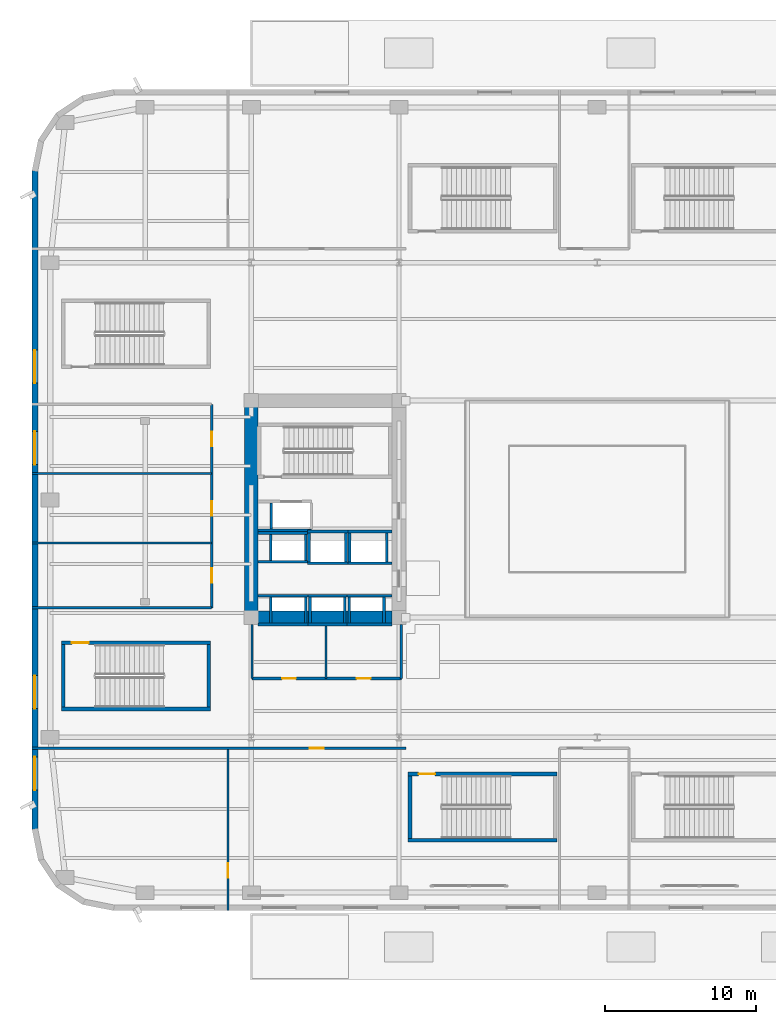
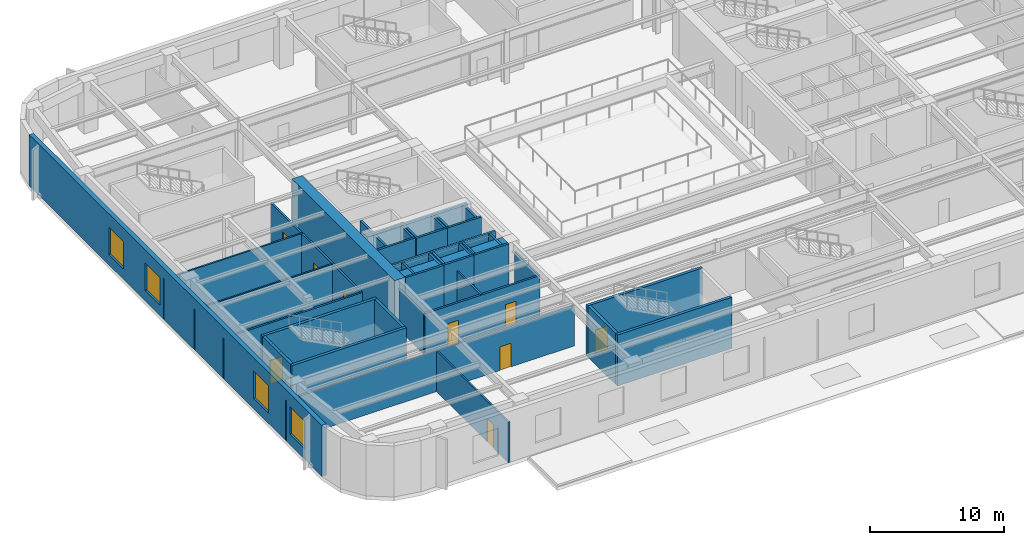
# One storey, part 6 of 24: 46 walls, 9 doors, 4 windows, 13 openings.
"""IFC4 building model written with IfcOpenShell, lengths in metres."""

import ifcopenshell
import ifcopenshell.guid

model = None  # the IFC model being written
_history = None  # IfcOwnerHistory: only IFC2X3 demands one
_inside = {}  # id of a spatial element -> (the spatial element, [elements in it])
_under = {}  # id of a project, library or spatial element -> (it, [spatial elements below it])
_declared = {}  # id of a project -> (the project, [libraries it declares])
_typed = {}  # id of a type object -> (the type object, [elements of that type])
_made_of = {}  # id of a material, layer set ... -> (it, [elements and type objects made of it])


def new_model(schema):
    """Start an empty IFC model of exactly this schema.

    Asked for "IFC4X3", IfcOpenShell would pick the latest addendum, in which some entities
    have other attributes; the version numbers below select the first issue.
    IFC2X3 requires an IfcOwnerHistory on every rooted entity: one is made here for all.
    """
    global model, _history
    if schema == "IFC4X3":
        model = ifcopenshell.file(schema_version=(4, 3, 0, 0))
    else:
        model = ifcopenshell.file(schema=schema)
    _inside.clear()
    _under.clear()
    _declared.clear()
    _typed.clear()
    _made_of.clear()
    _history = None
    if model.schema == "IFC2X3":
        org = make("IfcOrganization", Name="unknown")
        user = make(
            "IfcPersonAndOrganization",
            ThePerson=make("IfcPerson", FamilyName="unknown"),
            TheOrganization=org,
        )
        app = make(
            "IfcApplication",
            ApplicationDeveloper=org,
            Version="unknown",
            ApplicationFullName="unknown",
            ApplicationIdentifier="unknown",
        )
        _history = make(
            "IfcOwnerHistory",
            OwningUser=user,
            OwningApplication=app,
            ChangeAction="ADDED",
            CreationDate=0,
        )
    return model


def make(cls, **values):
    """One entity of the class cls with the attributes given. An attribute that is None is left unset."""
    return model.create_entity(
        cls, **{name: value for name, value in values.items() if value is not None}
    )


def rooted(cls, **values):
    """An entity with a GlobalId (a new one), such as an element, a storey or a relation."""
    return make(cls, GlobalId=ifcopenshell.guid.new(), OwnerHistory=_history, **values)


def si_unit(unit_type, name, prefix=None):
    """IfcSIUnit, for example si_unit("LENGTHUNIT", "METRE", prefix="MILLI")."""
    return make("IfcSIUnit", UnitType=unit_type, Prefix=prefix, Name=name)


def assignment(units):
    """IfcUnitAssignment: the units of a project."""
    return None if units is None else make("IfcUnitAssignment", Units=units)


def point(xyz):
    """IfcCartesianPoint."""
    return None if xyz is None else make("IfcCartesianPoint", Coordinates=xyz)


def direction(xyz):
    """IfcDirection."""
    return None if xyz is None else make("IfcDirection", DirectionRatios=xyz)


def frame(location, z_axis=None, x_axis=None):
    """IfcAxis2Placement3D, a coordinate frame: its origin and axes. An axis left out is left unset."""
    return make(
        "IfcAxis2Placement3D",
        Location=point(location),
        Axis=direction(z_axis),
        RefDirection=direction(x_axis),
    )


def frame_2d(location, x_axis=None):
    """IfcAxis2Placement2D, a coordinate frame in the plane: its origin and x axis."""
    return make(
        "IfcAxis2Placement2D", Location=point(location), RefDirection=direction(x_axis)
    )


def origin():
    """The frame at (0, 0, 0) with its axes left unset."""
    return frame((0.0, 0.0, 0.0))


def place(relative_to, where):
    """IfcLocalPlacement: puts the frame where relative to a parent placement (None: the world)."""
    return make(
        "IfcLocalPlacement", PlacementRelTo=relative_to, RelativePlacement=where
    )


def context(
    kind, dimensions, precision=None, world=None, true_north=None, identifier=None
):
    """IfcGeometricRepresentationContext, for example the 3D "Model" context."""
    return make(
        "IfcGeometricRepresentationContext",
        ContextIdentifier=identifier,
        ContextType=kind,
        CoordinateSpaceDimension=dimensions,
        Precision=precision,
        WorldCoordinateSystem=world,
        TrueNorth=true_north,
    )


def subcontext(parent, identifier, kind, view, scale=None):
    """IfcGeometricRepresentationSubContext, for example "Body" below "Model"."""
    return make(
        "IfcGeometricRepresentationSubContext",
        ContextIdentifier=identifier,
        ContextType=kind,
        ParentContext=parent,
        TargetScale=scale,
        TargetView=view,
    )


def project(units=None, contexts=None):
    """IfcProject with its units and contexts."""
    return rooted(
        "IfcProject",
        Name="project",
        RepresentationContexts=contexts,
        UnitsInContext=assignment(units),
    )


def spatial(cls, under=None, at=None, **own):
    """A site, building, storey or space (cls), placed at a placement, below another one or the project."""
    s = rooted(cls, ObjectPlacement=at, **own)
    if under is not None:
        _under.setdefault(under.id(), (under, []))[1].append(s)
    return s


def profile(cls, at=None, kind="AREA", **sizes):
    """A parametric profile (cls). Its sizes go by their IFC names, for example OverallWidth=200.0."""
    return make(cls, ProfileType=kind, Position=at, **sizes)


def rectangle(**sizes):
    """IfcRectangleProfileDef."""
    return profile("IfcRectangleProfileDef", **sizes)


def extrude(swept, where, along, depth):
    """IfcExtrudedAreaSolid: the profile swept, set in the frame where, extruded along a direction by depth."""
    return make(
        "IfcExtrudedAreaSolid",
        SweptArea=swept,
        Position=where,
        ExtrudedDirection=direction(along),
        Depth=depth,
    )


def shape(context_of_items, identifier, shape_type, items):
    """IfcShapeRepresentation: the items that make up one representation, for example the "Body"."""
    return make(
        "IfcShapeRepresentation",
        ContextOfItems=context_of_items,
        RepresentationIdentifier=identifier,
        RepresentationType=shape_type,
        Items=items,
    )


def material(Name=None, Category=None):
    """IfcMaterial."""
    return make("IfcMaterial", Name=Name, Category=Category)


def layer(
    of_material, thickness, ventilated=None, Name=None, Category=None, Priority=None
):
    """IfcMaterialLayer: one layer of a wall or slab, of a material (None: an air gap)."""
    return make(
        "IfcMaterialLayer",
        Material=of_material,
        LayerThickness=thickness,
        IsVentilated=ventilated,
        Name=Name,
        Category=Category,
        Priority=Priority,
    )


def layer_set(layers, Name=None):
    """IfcMaterialLayerSet."""
    return make("IfcMaterialLayerSet", MaterialLayers=layers, LayerSetName=Name)


def made_of(thing, what):
    """Note that an element or type object is made of a material, layer set ...; save() writes the relation."""
    if what is not None:
        _made_of.setdefault(what.id(), (what, []))[1].append(thing)
    return thing


def type_object(cls, material=None, **own):
    """A type object (cls), such as IfcWallType, which elements share."""
    return made_of(rooted(cls, **own), material)


def element(
    cls,
    number,
    at=None,
    inside=None,
    cuts=None,
    type_object=None,
    material=None,
    context=None,
    identifier="Body",
    shape_type=None,
    held_by="IfcProductDefinitionShape",
    body=None,
    shapes=None,
    **own,
):
    """One element of the class cls, such as IfcWall. Its Tag is "e" and its number.

    at: its placement. inside: the storey or other place that contains it. cuts: it is an
    opening in that element (IfcRelVoidsElement). A single representation is given by context,
    identifier, shape_type and body (its items); several are given by shapes. held_by: the class
    of the entity that holds the representations. save() writes the other relations.
    """
    e = rooted(cls, Tag="e%d" % number, ObjectPlacement=at, **own)
    if body is not None:
        shapes = [shape(context, identifier, shape_type, body)]
    if shapes is not None:
        e.Representation = make(held_by, Representations=shapes)
    if inside is not None:
        _inside.setdefault(inside.id(), (inside, []))[1].append(e)
    if cuts is not None:
        rooted(
            "IfcRelVoidsElement", RelatingBuildingElement=cuts, RelatedOpeningElement=e
        )
    if type_object is not None:
        _typed.setdefault(type_object.id(), (type_object, []))[1].append(e)
    return made_of(e, material)


def fill(opening, filler):
    """IfcRelFillsElement: the door or window that sits in an opening."""
    return rooted(
        "IfcRelFillsElement",
        RelatingOpeningElement=opening,
        RelatedBuildingElement=filler,
    )


def aggregate(whole, parts):
    """IfcRelAggregates: a whole, such as a stair, and the parts it consists of."""
    return rooted("IfcRelAggregates", RelatingObject=whole, RelatedObjects=parts)


def save(model, path):
    """Write the relations noted so far, then the file.

    IfcRelAggregates (storeys below a building ...), IfcRelContainedInSpatialStructure (elements
    in a storey), IfcRelDefinesByType, IfcRelAssociatesMaterial and IfcRelDeclares: one each for
    every whole, place, type object, material and project.
    """
    for whole, parts in _under.values():
        aggregate(whole, parts)
    for where, things in _inside.values():
        rooted(
            "IfcRelContainedInSpatialStructure",
            RelatedElements=things,
            RelatingStructure=where,
        )
    for kind, things in _typed.values():
        rooted("IfcRelDefinesByType", RelatedObjects=things, RelatingType=kind)
    for what, things in _made_of.values():
        rooted("IfcRelAssociatesMaterial", RelatedObjects=things, RelatingMaterial=what)
    for by, libraries in _declared.values():
        rooted("IfcRelDeclares", RelatingContext=by, RelatedDefinitions=libraries)
    model.write(path)


model = new_model("IFC4")

# Units and contexts
model_context = context("Model", 3, precision=1e-05, world=origin(), true_north=direction((0.0, 1.0)))
body_context = subcontext(model_context, "Body", "Model", "MODEL_VIEW")
ifc_project = project(units=[si_unit("LENGTHUNIT", "METRE"), si_unit("AREAUNIT", "SQUARE_METRE"), si_unit("VOLUMEUNIT", "CUBIC_METRE"), si_unit("PLANEANGLEUNIT", "RADIAN"), si_unit("MASSUNIT", "GRAM", prefix="KILO")], contexts=[model_context])

# Site, building, storey
site_placement = place(None, origin())
site = spatial("IfcSite", under=ifc_project, at=site_placement, CompositionType="ELEMENT")
building_placement = place(site_placement, origin())
building = spatial("IfcBuilding", under=site, at=building_placement, Name="Kolvaren Arena Tower", CompositionType="ELEMENT")
storey_placement = place(building_placement, frame((0.0, 0.0, 8.0)))
storey = spatial("IfcBuildingStorey", under=building, at=storey_placement, Name="L01", CompositionType="ELEMENT", Elevation=8.0)

# Wall, openings, doors
ifc_material_1 = material(Name="Gypsum board acoustic assembly", Category="gypsum")
ifc_layer_1 = layer(ifc_material_1, 0.159912109375)
ifc_layer_set_1 = layer_set([ifc_layer_1], Name="Gypsum board acoustic assembly")
wall_type_1 = type_object("IfcWallType", Name="CORR-160", PredefinedType="PARTITIONING", material=ifc_layer_set_1)
wall_1_placement = place(storey_placement, frame((11.919921875, 20.10009765625, 0.0), z_axis=(0.0, 0.0, 1.0), x_axis=(0.0, 1.0, 0.0)))
wall_1 = element("IfcWall", 1, at=wall_1_placement, inside=storey, type_object=wall_type_1, Name="Interior Partition Wall (L01)", PredefinedType="PARTITIONING", context=body_context, shape_type="SweptSolid", body=[
    extrude(rectangle(XDim=13.5, YDim=0.159912109375, at=frame_2d((6.75, 0.0))), origin(), (0.0, 0.0, 1.0), 3.7099609375),
])
opening_1_placement = place(wall_1_placement, frame((1.669921875, 0.0, 0.0)))
opening_1 = element("IfcOpeningElement", 2, at=opening_1_placement, cuts=wall_1, Name="Opening D05", PredefinedType="OPENING", context=body_context, shape_type="SweptSolid", body=[
    extrude(rectangle(XDim=0.949951171875, YDim=2.14990234375, at=frame_2d((0.47509765625, 1.074951171875))), frame((0.0, 0.08984375, 0.0), z_axis=(0.0, -1.0, 0.0), x_axis=(1.0, 0.0, 0.0)), (0.0, 0.0, 1.0), 0.179931640625),
])
opening_2_placement = place(wall_1_placement, frame((6.1201171875, 0.0, 0.0)))
opening_2 = element("IfcOpeningElement", 3, at=opening_2_placement, cuts=wall_1, Name="Opening D05", PredefinedType="OPENING", context=body_context, shape_type="SweptSolid", body=[
    extrude(rectangle(XDim=0.949951171875, YDim=2.14990234375, at=frame_2d((0.47509765625, 1.074951171875))), frame((0.0, 0.08984375, 0.0), z_axis=(0.0, -1.0, 0.0), x_axis=(1.0, 0.0, 0.0)), (0.0, 0.0, 1.0), 0.179931640625),
])
opening_3_placement = place(wall_1_placement, frame((10.719970703125, 0.0, 0.0)))
opening_3 = element("IfcOpeningElement", 4, at=opening_3_placement, cuts=wall_1, Name="Opening D05", PredefinedType="OPENING", context=body_context, shape_type="SweptSolid", body=[
    extrude(rectangle(XDim=0.949951171875, YDim=2.14990234375, at=frame_2d((0.47509765625, 1.074951171875))), frame((0.0, 0.08984375, 0.0), z_axis=(0.0, -1.0, 0.0), x_axis=(1.0, 0.0, 0.0)), (0.0, 0.0, 1.0), 0.179931640625),
])
ifc_material_2 = material(Name="Solid-core oak acoustic office door", Category="wood")
door_type_1 = type_object("IfcDoorType", Name="DOOR-OF-095", OperationType="NOTDEFINED", PredefinedType="DOOR", material=ifc_material_2)
door_1_placement = place(opening_1_placement, origin())
door_1 = element("IfcDoor", 5, at=door_1_placement, inside=storey, type_object=door_type_1, Name="West Club Lounge Door (L01)", OperationType="SINGLE_SWING_LEFT", OverallHeight=2.14990234375, OverallWidth=0.949951171875, PredefinedType="DOOR", context=body_context, shape_type="SweptSolid", body=[
    extrude(rectangle(XDim=0.949951171875, YDim=2.14990234375, at=frame_2d((0.47509765625, 1.074951171875))), frame((0.0, 0.02490234375, 0.0), z_axis=(0.0, -1.0, 0.0), x_axis=(1.0, 0.0, 0.0)), (0.0, 0.0, 1.0), 0.050048828125),
])
fill(opening_1, door_1)
door_2_placement = place(opening_2_placement, origin())
door_2 = element("IfcDoor", 6, at=door_2_placement, inside=storey, type_object=door_type_1, Name="Concession Kitchen Door (L01)", OperationType="SINGLE_SWING_LEFT", OverallHeight=2.14990234375, OverallWidth=0.949951171875, PredefinedType="DOOR", context=body_context, shape_type="SweptSolid", body=[
    extrude(rectangle(XDim=0.949951171875, YDim=2.14990234375, at=frame_2d((0.47509765625, 1.074951171875))), frame((0.0, 0.02490234375, 0.0), z_axis=(0.0, -1.0, 0.0), x_axis=(1.0, 0.0, 0.0)), (0.0, 0.0, 1.0), 0.050048828125),
])
fill(opening_2, door_2)
door_3_placement = place(opening_3_placement, origin())
door_3 = element("IfcDoor", 7, at=door_3_placement, inside=storey, type_object=door_type_1, Name="First Aid Medical Room Door (L01)", OperationType="SINGLE_SWING_LEFT", OverallHeight=2.14990234375, OverallWidth=0.949951171875, PredefinedType="DOOR", context=body_context, shape_type="SweptSolid", body=[
    extrude(rectangle(XDim=0.949951171875, YDim=2.14990234375, at=frame_2d((0.47509765625, 1.074951171875))), frame((0.0, 0.02490234375, 0.0), z_axis=(0.0, -1.0, 0.0), x_axis=(1.0, 0.0, 0.0)), (0.0, 0.0, 1.0), 0.050048828125),
])
fill(opening_3, door_3)

# Wall
wall_2_placement = place(storey_placement, frame((0.0, 20.10009765625, 0.0), z_axis=(0.0, 0.0, 1.0), x_axis=(1.0, 0.0, 0.0)))
element("IfcWall", 8, at=wall_2_placement, inside=storey, type_object=wall_type_1, Name="Interior Partition Wall (L01)", PredefinedType="PARTITIONING", context=body_context, shape_type="SweptSolid", body=[
    extrude(rectangle(XDim=11.919921875, YDim=0.159912109375, at=frame_2d((5.9599609375, 0.0))), origin(), (0.0, 0.0, 1.0), 3.7099609375),
])

# Wall, opening, door
wall_3_placement = place(storey_placement, frame((0.0, 10.780029296875, 0.0), z_axis=(0.0, 0.0, 1.0), x_axis=(1.0, 0.0, 0.0)))
wall_3 = element("IfcWall", 9, at=wall_3_placement, inside=storey, type_object=wall_type_1, Name="Interior Partition Wall (L01)", PredefinedType="PARTITIONING", context=body_context, shape_type="SweptSolid", body=[
    extrude(rectangle(XDim=24.800048828125, YDim=0.159912109375, at=frame_2d((12.39990234375, 0.0))), origin(), (0.0, 0.0, 1.0), 3.7099609375),
])
opening_4_placement = place(wall_3_placement, frame((18.419921875, 0.0, 0.0)))
opening_4 = element("IfcOpeningElement", 10, at=opening_4_placement, cuts=wall_3, Name="Opening D05", PredefinedType="OPENING", context=body_context, shape_type="SweptSolid", body=[
    extrude(rectangle(XDim=0.949951171875, YDim=2.14990234375, at=frame_2d((0.47509765625, 1.074951171875))), frame((0.0, 0.08984375, 0.0), z_axis=(0.0, -1.0, 0.0), x_axis=(1.0, 0.0, 0.0)), (0.0, 0.0, 1.0), 0.179931640625),
])
door_4_placement = place(opening_4_placement, origin())
door_4 = element("IfcDoor", 11, at=door_4_placement, inside=storey, type_object=door_type_1, Name="Arena Retail Pavilion Door (L01)", OperationType="SINGLE_SWING_RIGHT", OverallHeight=2.14990234375, OverallWidth=0.949951171875, PredefinedType="DOOR", context=body_context, shape_type="SweptSolid", body=[
    extrude(rectangle(XDim=0.949951171875, YDim=2.14990234375, at=frame_2d((0.47509765625, 1.074951171875))), frame((0.0, 0.02490234375, 0.0), z_axis=(0.0, -1.0, 0.0), x_axis=(1.0, 0.0, 0.0)), (0.0, 0.0, 1.0), 0.050048828125),
])
fill(opening_4, door_4)

# Walls
ifc_material_3 = material(Name="Concrete 80 MPa", Category="concrete")
ifc_layer_2 = layer(ifc_material_3, 0.89990234375)
ifc_layer_set_2 = layer_set([ifc_layer_2], Name="Concrete 80 MPa")
wall_type_2 = type_object("IfcWallType", Name="CWALL-900", PredefinedType="SHEAR", material=ifc_layer_set_2)
wall_4_placement = place(storey_placement, frame((14.550048828125, 19.0, -0.35009765625), z_axis=(0.0, 0.0, 1.0), x_axis=(0.0, 1.0, 0.0)))
element("IfcWall", 12, at=wall_4_placement, inside=storey, type_object=wall_type_2, Name="Core Shear Wall WC-WEST (L01)", PredefinedType="SHEAR", context=body_context, shape_type="SweptSolid", body=[
    extrude(rectangle(XDim=15.300048828125, YDim=0.89990234375, at=frame_2d((7.64990234375, 0.0))), origin(), (0.0, 0.0, 1.0), 5.0),
])
wall_5_placement = place(storey_placement, frame((15.0, 19.449951171875, -0.35009765625), z_axis=(0.0, 0.0, 1.0), x_axis=(1.0, 0.0, 0.0)))
element("IfcWall", 13, at=wall_5_placement, inside=storey, type_object=wall_type_2, Name="Core Shear Wall WC-SOUTH (L01)", PredefinedType="SHEAR", context=body_context, shape_type="SweptSolid", body=[
    extrude(rectangle(XDim=8.89990234375, YDim=0.89990234375, at=frame_2d((4.449951171875, 0.0))), origin(), (0.0, 0.0, 1.0), 5.0),
])

# Wall, openings, windows
ifc_material_4 = material(Name="Precast concrete C50/60", Category="concrete")
ifc_layer_3 = layer(ifc_material_4, 0.3798828125)
ifc_layer_set_3 = layer_set([ifc_layer_3], Name="Precast concrete C50/60")
wall_type_3 = type_object("IfcWallType", Name="EXT-ARENA", PredefinedType="SOLIDWALL", material=ifc_layer_set_3)
wall_6_placement = place(storey_placement, frame((0.18994140625, 5.39990234375, 0.0), z_axis=(0.0, 0.0, 1.0), x_axis=(0.0, 1.0, 0.0)))
wall_6 = element("IfcWall", 14, at=wall_6_placement, inside=storey, type_object=wall_type_3, Name="Exterior Precast Masonry-Frame Wall (L01)", PredefinedType="SOLIDWALL", context=body_context, shape_type="SweptSolid", body=[
    extrude(rectangle(XDim=43.7001953125, YDim=0.3798828125, at=frame_2d((21.85009765625, 0.0))), origin(), (0.0, 0.0, 1.0), 4.64990234375),
])
opening_5_placement = place(wall_6_placement, frame((2.60009765625, 0.0, 0.949951171875)))
opening_5 = element("IfcOpeningElement", 15, at=opening_5_placement, cuts=wall_6, Name="Opening W07", PredefinedType="OPENING", context=body_context, shape_type="SweptSolid", body=[
    extrude(rectangle(XDim=2.199951171875, YDim=2.5, at=frame_2d((1.10009765625, 1.25))), frame((0.0, 0.199951171875, 0.0), z_axis=(0.0, -1.0, 0.0), x_axis=(1.0, 0.0, 0.0)), (0.0, 0.0, 1.0), 0.39990234375),
])
opening_6_placement = place(wall_6_placement, frame((8.0, 0.0, 0.949951171875)))
opening_6 = element("IfcOpeningElement", 16, at=opening_6_placement, cuts=wall_6, Name="Opening W07", PredefinedType="OPENING", context=body_context, shape_type="SweptSolid", body=[
    extrude(rectangle(XDim=2.199951171875, YDim=2.5, at=frame_2d((1.10009765625, 1.25))), frame((0.0, 0.199951171875, 0.0), z_axis=(0.0, -1.0, 0.0), x_axis=(1.0, 0.0, 0.0)), (0.0, 0.0, 1.0), 0.39990234375),
])
opening_7_placement = place(wall_6_placement, frame((24.199951171875, 0.0, 0.949951171875)))
opening_7 = element("IfcOpeningElement", 17, at=opening_7_placement, cuts=wall_6, Name="Opening W07", PredefinedType="OPENING", context=body_context, shape_type="SweptSolid", body=[
    extrude(rectangle(XDim=2.199951171875, YDim=2.5, at=frame_2d((1.10009765625, 1.25))), frame((0.0, 0.199951171875, 0.0), z_axis=(0.0, -1.0, 0.0), x_axis=(1.0, 0.0, 0.0)), (0.0, 0.0, 1.0), 0.39990234375),
])
opening_8_placement = place(wall_6_placement, frame((29.60009765625, 0.0, 0.949951171875)))
opening_8 = element("IfcOpeningElement", 18, at=opening_8_placement, cuts=wall_6, Name="Opening W07", PredefinedType="OPENING", context=body_context, shape_type="SweptSolid", body=[
    extrude(rectangle(XDim=2.199951171875, YDim=2.5, at=frame_2d((1.10009765625, 1.25))), frame((0.0, 0.199951171875, 0.0), z_axis=(0.0, -1.0, 0.0), x_axis=(1.0, 0.0, 0.0)), (0.0, 0.0, 1.0), 0.39990234375),
])
ifc_material_5 = material(Name="Triple-glazed arena concourse window", Category="glass")
window_type = type_object("IfcWindowType", Name="WIN-POD-A", PartitioningType="DOUBLE_PANEL_VERTICAL", PredefinedType="WINDOW", material=ifc_material_5)
window_1_placement = place(opening_5_placement, origin())
window_1 = element("IfcWindow", 19, at=window_1_placement, inside=storey, type_object=window_type, Name="Punched Precast-Pier Window (L01)", OverallHeight=2.5, OverallWidth=2.199951171875, PartitioningType="DOUBLE_PANEL_VERTICAL", PredefinedType="WINDOW", context=body_context, shape_type="SweptSolid", body=[
    extrude(rectangle(XDim=2.199951171875, YDim=2.5, at=frame_2d((1.10009765625, 1.25))), frame((0.0, 0.030029296875, 0.0), z_axis=(0.0, -1.0, 0.0), x_axis=(1.0, 0.0, 0.0)), (0.0, 0.0, 1.0), 0.06005859375),
])
fill(opening_5, window_1)
window_2_placement = place(opening_6_placement, origin())
window_2 = element("IfcWindow", 20, at=window_2_placement, inside=storey, type_object=window_type, Name="Punched Precast-Pier Window (L01)", OverallHeight=2.5, OverallWidth=2.199951171875, PartitioningType="DOUBLE_PANEL_VERTICAL", PredefinedType="WINDOW", context=body_context, shape_type="SweptSolid", body=[
    extrude(rectangle(XDim=2.199951171875, YDim=2.5, at=frame_2d((1.10009765625, 1.25))), frame((0.0, 0.030029296875, 0.0), z_axis=(0.0, -1.0, 0.0), x_axis=(1.0, 0.0, 0.0)), (0.0, 0.0, 1.0), 0.06005859375),
])
fill(opening_6, window_2)
window_3_placement = place(opening_7_placement, origin())
window_3 = element("IfcWindow", 21, at=window_3_placement, inside=storey, type_object=window_type, Name="Punched Precast-Pier Window (L01)", OverallHeight=2.5, OverallWidth=2.199951171875, PartitioningType="DOUBLE_PANEL_VERTICAL", PredefinedType="WINDOW", context=body_context, shape_type="SweptSolid", body=[
    extrude(rectangle(XDim=2.199951171875, YDim=2.5, at=frame_2d((1.10009765625, 1.25))), frame((0.0, 0.030029296875, 0.0), z_axis=(0.0, -1.0, 0.0), x_axis=(1.0, 0.0, 0.0)), (0.0, 0.0, 1.0), 0.06005859375),
])
fill(opening_7, window_3)
window_4_placement = place(opening_8_placement, origin())
window_4 = element("IfcWindow", 22, at=window_4_placement, inside=storey, type_object=window_type, Name="Punched Precast-Pier Window (L01)", OverallHeight=2.5, OverallWidth=2.199951171875, PartitioningType="DOUBLE_PANEL_VERTICAL", PredefinedType="WINDOW", context=body_context, shape_type="SweptSolid", body=[
    extrude(rectangle(XDim=2.199951171875, YDim=2.5, at=frame_2d((1.10009765625, 1.25))), frame((0.0, 0.030029296875, 0.0), z_axis=(0.0, -1.0, 0.0), x_axis=(1.0, 0.0, 0.0)), (0.0, 0.0, 1.0), 0.06005859375),
])
fill(opening_8, window_4)

# Walls
ifc_material_6 = material(Name="Gypsum board partition assembly", Category="gypsum")
ifc_layer_4 = layer(ifc_material_6, 0.135009765625)
ifc_layer_set_4 = layer_set([ifc_layer_4], Name="Gypsum board partition assembly")
wall_type_4 = type_object("IfcWallType", Name="PART-135", PredefinedType="PARTITIONING", material=ifc_layer_set_4)
for number, where, z_axis, x_axis, name in (
    (23, (0.0, 24.39990234375, 0.0), (0.0, 0.0, 1.0), (1.0, 0.0, 0.0), "Interior Partition Wall (L01)"),
    (24, (0.0, 29.0, 0.0), (0.0, 0.0, 1.0), (1.0, 0.0, 0.0), "Interior Partition Wall (L01)"),
):
    element("IfcWall", number, at=place(storey_placement, frame(where, z_axis=z_axis, x_axis=x_axis)), inside=storey, type_object=wall_type_4, Name=name, PredefinedType="PARTITIONING", context=body_context, shape_type="SweptSolid", body=[
        extrude(rectangle(XDim=11.919921875, YDim=0.135009765625, at=frame_2d((5.9599609375, 0.0))), origin(), (0.0, 0.0, 1.0), 3.7099609375),
    ])

# Wall, opening, door
wall_7_placement = place(storey_placement, frame((13.0, 0.0, 0.0), z_axis=(0.0, 0.0, 1.0), x_axis=(0.0, 1.0, 0.0)))
wall_7 = element("IfcWall", 25, at=wall_7_placement, inside=storey, type_object=wall_type_4, Name="Interior Partition Wall (L01)", PredefinedType="PARTITIONING", context=body_context, shape_type="SweptSolid", body=[
    extrude(rectangle(XDim=10.68994140625, YDim=0.135009765625, at=frame_2d((5.344970703125, 0.0))), origin(), (0.0, 0.0, 1.0), 3.7099609375),
])
opening_9_placement = place(wall_7_placement, frame((2.199951171875, 0.0, 0.0)))
opening_9 = element("IfcOpeningElement", 26, at=opening_9_placement, cuts=wall_7, Name="Opening D05", PredefinedType="OPENING", context=body_context, shape_type="SweptSolid", body=[
    extrude(rectangle(XDim=0.949951171875, YDim=2.14990234375, at=frame_2d((0.47509765625, 1.074951171875))), frame((0.0, 0.077392578125, 0.0), z_axis=(0.0, -1.0, 0.0), x_axis=(1.0, 0.0, 0.0)), (0.0, 0.0, 1.0), 0.155029296875),
])
door_5_placement = place(opening_9_placement, origin())
door_5 = element("IfcDoor", 27, at=door_5_placement, inside=storey, type_object=door_type_1, Name="South-West Concession Hall Connecting Door (L01)", OperationType="SINGLE_SWING_LEFT", OverallHeight=2.14990234375, OverallWidth=0.949951171875, PredefinedType="DOOR", context=body_context, shape_type="SweptSolid", body=[
    extrude(rectangle(XDim=0.949951171875, YDim=2.14990234375, at=frame_2d((0.47509765625, 1.074951171875))), frame((0.0, 0.02490234375, 0.0), z_axis=(0.0, -1.0, 0.0), x_axis=(1.0, 0.0, 0.0)), (0.0, 0.0, 1.0), 0.050048828125),
])
fill(opening_9, door_5)

ifc_material_7 = material(Name="Concrete 45 MPa", Category="concrete")
ifc_layer_5 = layer(ifc_material_7, 0.25)
ifc_layer_set_5 = layer_set([ifc_layer_5], Name="Concrete 45 MPa")
wall_type_5 = type_object("IfcWallType", Name="SHAFT-250", PredefinedType="SOLIDWALL", material=ifc_layer_set_5)
wall_8_placement = place(storey_placement, frame((1.9599609375, 17.77001953125, 0.0), z_axis=(0.0, 0.0, 1.0), x_axis=(1.0, 0.0, 0.0)))
wall_8 = element("IfcWall", 28, at=wall_8_placement, inside=storey, type_object=wall_type_5, Name="Stair ST-A1 Rated Enclosure Wall (L01)", PredefinedType="SOLIDWALL", context=body_context, shape_type="SweptSolid", body=[
    extrude(rectangle(XDim=9.880126953125, YDim=0.239990234375, at=frame_2d((4.93994140625, 0.0))), origin(), (0.0, 0.0, 1.0), 4.64990234375),
])
opening_10_placement = place(wall_8_placement, frame((0.68994140625, 0.0, 0.0)))
opening_10 = element("IfcOpeningElement", 29, at=opening_10_placement, cuts=wall_8, Name="Opening D03", PredefinedType="OPENING", context=body_context, shape_type="SweptSolid", body=[
    extrude(rectangle(XDim=1.10009765625, YDim=2.14990234375, at=frame_2d((0.550048828125, 1.074951171875))), frame((0.0, 0.1298828125, 0.0), z_axis=(0.0, -1.0, 0.0), x_axis=(1.0, 0.0, 0.0)), (0.0, 0.0, 1.0), 0.260009765625),
])
ifc_material_8 = material(Name="Fire-rated steel exit stair door", Category="steel")
door_type_2 = type_object("IfcDoorType", Name="DOOR-ST-110", OperationType="NOTDEFINED", PredefinedType="DOOR", material=ifc_material_8)
door_6_placement = place(opening_10_placement, origin())
door_6 = element("IfcDoor", 30, at=door_6_placement, inside=storey, type_object=door_type_2, Name="Exit Stair ST-A1 Fire Door (L01)", OperationType="SINGLE_SWING_RIGHT", OverallHeight=2.14990234375, OverallWidth=1.10009765625, PredefinedType="DOOR", context=body_context, shape_type="SweptSolid", body=[
    extrude(rectangle(XDim=1.10009765625, YDim=2.14990234375, at=frame_2d((0.550048828125, 1.074951171875))), frame((0.0, 0.02490234375, 0.0), z_axis=(0.0, -1.0, 0.0), x_axis=(1.0, 0.0, 0.0)), (0.0, 0.0, 1.0), 0.050048828125),
])
fill(opening_10, door_6)

# Walls
wall_9_placement = place(storey_placement, frame((1.9599609375, 13.3798828125, 0.0), z_axis=(0.0, 0.0, 1.0), x_axis=(1.0, 0.0, 0.0)))
element("IfcWall", 31, at=wall_9_placement, inside=storey, type_object=wall_type_5, Name="Stair ST-A1 Rear Shaft Wall (L01)", PredefinedType="SOLIDWALL", context=body_context, shape_type="SweptSolid", body=[
    extrude(rectangle(XDim=9.880126953125, YDim=0.239990234375, at=frame_2d((4.93994140625, 0.0))), origin(), (0.0, 0.0, 1.0), 4.64990234375),
])
for number, where, z_axis, x_axis, name in (
    (32, (2.080078125, 13.5, 0.0), (0.0, 0.0, 1.0), (0.0, 1.0, 0.0), "Stair ST-A1 West Shaft Wall (L01)"),
    (33, (11.719970703125, 13.5, 0.0), (0.0, 0.0, 1.0), (0.0, 1.0, 0.0), "Stair ST-A1 East Shaft Wall (L01)"),
):
    element("IfcWall", number, at=place(storey_placement, frame(where, z_axis=z_axis, x_axis=x_axis)), inside=storey, type_object=wall_type_5, Name=name, PredefinedType="SOLIDWALL", context=body_context, shape_type="SweptSolid", body=[
        extrude(rectangle(XDim=4.14990234375, YDim=0.239990234375, at=frame_2d((2.074951171875, 0.0))), origin(), (0.0, 0.0, 1.0), 4.64990234375),
    ])

# Wall, opening, door
wall_10_placement = place(storey_placement, frame((24.9599609375, 9.070068359375, 0.0), z_axis=(0.0, 0.0, 1.0), x_axis=(1.0, 0.0, 0.0)))
wall_10 = element("IfcWall", 34, at=wall_10_placement, inside=storey, type_object=wall_type_5, Name="Stair ST-A2 Rated Enclosure Wall (L01)", PredefinedType="SOLIDWALL", context=body_context, shape_type="SweptSolid", body=[
    extrude(rectangle(XDim=9.880126953125, YDim=0.239990234375, at=frame_2d((4.93994140625, 0.0))), origin(), (0.0, 0.0, 1.0), 4.64990234375),
])
opening_11_placement = place(wall_10_placement, frame((0.68994140625, 0.0, 0.0)))
opening_11 = element("IfcOpeningElement", 35, at=opening_11_placement, cuts=wall_10, Name="Opening D03", PredefinedType="OPENING", context=body_context, shape_type="SweptSolid", body=[
    extrude(rectangle(XDim=1.10009765625, YDim=2.14990234375, at=frame_2d((0.550048828125, 1.074951171875))), frame((0.0, 0.1298828125, 0.0), z_axis=(0.0, -1.0, 0.0), x_axis=(1.0, 0.0, 0.0)), (0.0, 0.0, 1.0), 0.260009765625),
])
door_7_placement = place(opening_11_placement, origin())
door_7 = element("IfcDoor", 36, at=door_7_placement, inside=storey, type_object=door_type_2, Name="Exit Stair ST-A2 Fire Door (L01)", OperationType="SINGLE_SWING_RIGHT", OverallHeight=2.14990234375, OverallWidth=1.10009765625, PredefinedType="DOOR", context=body_context, shape_type="SweptSolid", body=[
    extrude(rectangle(XDim=1.10009765625, YDim=2.14990234375, at=frame_2d((0.550048828125, 1.074951171875))), frame((0.0, 0.02490234375, 0.0), z_axis=(0.0, -1.0, 0.0), x_axis=(1.0, 0.0, 0.0)), (0.0, 0.0, 1.0), 0.050048828125),
])
fill(opening_11, door_7)

# Walls
wall_11_placement = place(storey_placement, frame((24.9599609375, 4.679931640625, 0.0), z_axis=(0.0, 0.0, 1.0), x_axis=(1.0, 0.0, 0.0)))
element("IfcWall", 37, at=wall_11_placement, inside=storey, type_object=wall_type_5, Name="Stair ST-A2 Rear Shaft Wall (L01)", PredefinedType="SOLIDWALL", context=body_context, shape_type="SweptSolid", body=[
    extrude(rectangle(XDim=9.880126953125, YDim=0.239990234375, at=frame_2d((4.93994140625, 0.0))), origin(), (0.0, 0.0, 1.0), 4.64990234375),
])
wall_12_placement = place(storey_placement, frame((25.080078125, 4.800048828125, 0.0), z_axis=(0.0, 0.0, 1.0), x_axis=(0.0, 1.0, 0.0)))
element("IfcWall", 38, at=wall_12_placement, inside=storey, type_object=wall_type_5, Name="Stair ST-A2 West Shaft Wall (L01)", PredefinedType="SOLIDWALL", context=body_context, shape_type="SweptSolid", body=[
    extrude(rectangle(XDim=4.14990234375, YDim=0.239990234375, at=frame_2d((2.074951171875, 0.0))), origin(), (0.0, 0.0, 1.0), 4.64990234375),
])
for number, where, z_axis, x_axis, name in (
    (39, (15.0, 20.905029296875, 0.0), (0.0, 0.0, 1.0), (1.0, 0.0, 0.0), "Core Shaft Wall (L01)"),
    (40, (15.0, 18.9951171875, 0.0), (0.0, 0.0, 1.0), (1.0, 0.0, 0.0), "Core Shaft Wall (L01)"),
):
    element("IfcWall", number, at=place(storey_placement, frame(where, z_axis=z_axis, x_axis=x_axis)), inside=storey, type_object=wall_type_5, Name=name, PredefinedType="SOLIDWALL", context=body_context, shape_type="SweptSolid", body=[
        extrude(rectangle(XDim=3.300048828125, YDim=0.179931640625, at=frame_2d((1.64990234375, 0.0))), origin(), (0.0, 0.0, 1.0), 4.64990234375),
    ])
for number, where, z_axis, x_axis, name in (
    (41, (15.844970703125, 19.0849609375, 0.0), (0.0, 0.0, 1.0), (0.0, 1.0, 0.0), "Core Shaft Wall (L01)"),
    (42, (18.155029296875, 19.0849609375, 0.0), (0.0, 0.0, 1.0), (0.0, 1.0, 0.0), "Core Shaft Wall (L01)"),
):
    element("IfcWall", number, at=place(storey_placement, frame(where, z_axis=z_axis, x_axis=x_axis)), inside=storey, type_object=wall_type_5, Name=name, PredefinedType="SOLIDWALL", context=body_context, shape_type="SweptSolid", body=[
        extrude(rectangle(XDim=1.72998046875, YDim=0.179931640625, at=frame_2d((0.864990234375, 0.0))), origin(), (0.0, 0.0, 1.0), 4.64990234375),
    ])
for number, where, z_axis, x_axis, name in (
    (43, (18.300048828125, 20.905029296875, 0.0), (0.0, 0.0, 1.0), (1.0, 0.0, 0.0), "Core Shaft Wall (L01)"),
    (44, (18.300048828125, 18.9951171875, 0.0), (0.0, 0.0, 1.0), (1.0, 0.0, 0.0), "Core Shaft Wall (L01)"),
):
    element("IfcWall", number, at=place(storey_placement, frame(where, z_axis=z_axis, x_axis=x_axis)), inside=storey, type_object=wall_type_5, Name=name, PredefinedType="SOLIDWALL", context=body_context, shape_type="SweptSolid", body=[
        extrude(rectangle(XDim=2.599853515625, YDim=0.179931640625, at=frame_2d((1.2998046875, 0.0))), origin(), (0.0, 0.0, 1.0), 4.64990234375),
    ])
for number, where, z_axis, x_axis, name in (
    (45, (18.445068359375, 19.0849609375, 0.0), (0.0, 0.0, 1.0), (0.0, 1.0, 0.0), "Core Shaft Wall (L01)"),
    (46, (20.7548828125, 19.0849609375, 0.0), (0.0, 0.0, 1.0), (0.0, 1.0, 0.0), "Core Shaft Wall (L01)"),
):
    element("IfcWall", number, at=place(storey_placement, frame(where, z_axis=z_axis, x_axis=x_axis)), inside=storey, type_object=wall_type_5, Name=name, PredefinedType="SOLIDWALL", context=body_context, shape_type="SweptSolid", body=[
        extrude(rectangle(XDim=1.72998046875, YDim=0.179931640625, at=frame_2d((0.864990234375, 0.0))), origin(), (0.0, 0.0, 1.0), 4.64990234375),
    ])
for number, where, z_axis, x_axis, name in (
    (47, (20.89990234375, 20.905029296875, 0.0), (0.0, 0.0, 1.0), (1.0, 0.0, 0.0), "Core Shaft Wall (L01)"),
    (48, (20.89990234375, 18.9951171875, 0.0), (0.0, 0.0, 1.0), (1.0, 0.0, 0.0), "Core Shaft Wall (L01)"),
):
    element("IfcWall", number, at=place(storey_placement, frame(where, z_axis=z_axis, x_axis=x_axis)), inside=storey, type_object=wall_type_5, Name=name, PredefinedType="SOLIDWALL", context=body_context, shape_type="SweptSolid", body=[
        extrude(rectangle(XDim=3.0, YDim=0.179931640625, at=frame_2d((1.5, 0.0))), origin(), (0.0, 0.0, 1.0), 4.64990234375),
    ])
for number, where, z_axis, x_axis, name in (
    (49, (21.044921875, 19.0849609375, 0.0), (0.0, 0.0, 1.0), (0.0, 1.0, 0.0), "Core Shaft Wall (L01)"),
    (50, (23.35498046875, 19.0849609375, 0.0), (0.0, 0.0, 1.0), (0.0, 1.0, 0.0), "Core Shaft Wall (L01)"),
):
    element("IfcWall", number, at=place(storey_placement, frame(where, z_axis=z_axis, x_axis=x_axis)), inside=storey, type_object=wall_type_5, Name=name, PredefinedType="SOLIDWALL", context=body_context, shape_type="SweptSolid", body=[
        extrude(rectangle(XDim=1.72998046875, YDim=0.179931640625, at=frame_2d((0.864990234375, 0.0))), origin(), (0.0, 0.0, 1.0), 4.64990234375),
    ])
for number, where, z_axis, x_axis, name in (
    (51, (15.0, 25.054931640625, 0.0), (0.0, 0.0, 1.0), (1.0, 0.0, 0.0), "Core Shaft Wall (L01)"),
    (52, (15.0, 23.14501953125, 0.0), (0.0, 0.0, 1.0), (1.0, 0.0, 0.0), "Core Shaft Wall (L01)"),
):
    element("IfcWall", number, at=place(storey_placement, frame(where, z_axis=z_axis, x_axis=x_axis)), inside=storey, type_object=wall_type_5, Name=name, PredefinedType="SOLIDWALL", context=body_context, shape_type="SweptSolid", body=[
        extrude(rectangle(XDim=3.262451171875, YDim=0.179931640625, at=frame_2d((1.63134765625, 0.0))), origin(), (0.0, 0.0, 1.0), 4.64990234375),
    ])
for number, where, z_axis, x_axis, name in (
    (53, (15.844970703125, 23.235107421875, 0.0), (0.0, 0.0, 1.0), (0.0, 1.0, 0.0), "Core Shaft Wall (L01)"),
    (54, (18.155029296875, 23.235107421875, 0.0), (0.0, 0.0, 1.0), (0.0, 1.0, 0.0), "Core Shaft Wall (L01)"),
):
    element("IfcWall", number, at=place(storey_placement, frame(where, z_axis=z_axis, x_axis=x_axis)), inside=storey, type_object=wall_type_5, Name=name, PredefinedType="SOLIDWALL", context=body_context, shape_type="SweptSolid", body=[
        extrude(rectangle(XDim=1.72998046875, YDim=0.179931640625, at=frame_2d((0.864990234375, 0.0))), origin(), (0.0, 0.0, 1.0), 4.64990234375),
    ])
for number, where, z_axis, x_axis, name in (
    (55, (18.262451171875, 25.155029296875, 0.0), (0.0, 0.0, 1.0), (1.0, 0.0, 0.0), "Core Shaft Wall (L01)"),
    (56, (18.262451171875, 23.044921875, 0.0), (0.0, 0.0, 1.0), (1.0, 0.0, 0.0), "Core Shaft Wall (L01)"),
):
    element("IfcWall", number, at=place(storey_placement, frame(where, z_axis=z_axis, x_axis=x_axis)), inside=storey, type_object=wall_type_5, Name=name, PredefinedType="SOLIDWALL", context=body_context, shape_type="SweptSolid", body=[
        extrude(rectangle(XDim=2.6875, YDim=0.179931640625, at=frame_2d((1.34375, 0.0))), origin(), (0.0, 0.0, 1.0), 4.64990234375),
    ])
for number, where, z_axis, x_axis, name in (
    (57, (18.3701171875, 23.135009765625, 0.0), (0.0, 0.0, 1.0), (0.0, 1.0, 0.0), "Core Shaft Wall (L01)"),
    (58, (20.830078125, 23.135009765625, 0.0), (0.0, 0.0, 1.0), (0.0, 1.0, 0.0), "Core Shaft Wall (L01)"),
):
    element("IfcWall", number, at=place(storey_placement, frame(where, z_axis=z_axis, x_axis=x_axis)), inside=storey, type_object=wall_type_5, Name=name, PredefinedType="SOLIDWALL", context=body_context, shape_type="SweptSolid", body=[
        extrude(rectangle(XDim=1.929931640625, YDim=0.179931640625, at=frame_2d((0.96484375, 0.0))), origin(), (0.0, 0.0, 1.0), 4.64990234375),
    ])
for number, where, z_axis, x_axis, name in (
    (59, (20.949951171875, 25.155029296875, 0.0), (0.0, 0.0, 1.0), (1.0, 0.0, 0.0), "Core Shaft Wall (L01)"),
    (60, (20.949951171875, 23.044921875, 0.0), (0.0, 0.0, 1.0), (1.0, 0.0, 0.0), "Core Shaft Wall (L01)"),
):
    element("IfcWall", number, at=place(storey_placement, frame(where, z_axis=z_axis, x_axis=x_axis)), inside=storey, type_object=wall_type_5, Name=name, PredefinedType="SOLIDWALL", context=body_context, shape_type="SweptSolid", body=[
        extrude(rectangle(XDim=2.949951171875, YDim=0.179931640625, at=frame_2d((1.47509765625, 0.0))), origin(), (0.0, 0.0, 1.0), 4.64990234375),
    ])
for number, where, z_axis, x_axis, name in (
    (61, (21.070068359375, 23.135009765625, 0.0), (0.0, 0.0, 1.0), (0.0, 1.0, 0.0), "Core Shaft Wall (L01)"),
    (62, (23.530029296875, 23.135009765625, 0.0), (0.0, 0.0, 1.0), (0.0, 1.0, 0.0), "Core Shaft Wall (L01)"),
):
    element("IfcWall", number, at=place(storey_placement, frame(where, z_axis=z_axis, x_axis=x_axis)), inside=storey, type_object=wall_type_5, Name=name, PredefinedType="SOLIDWALL", context=body_context, shape_type="SweptSolid", body=[
        extrude(rectangle(XDim=1.929931640625, YDim=0.179931640625, at=frame_2d((0.96484375, 0.0))), origin(), (0.0, 0.0, 1.0), 4.64990234375),
    ])
wall_13_placement = place(storey_placement, frame((15.0, 25.2451171875, 0.0), z_axis=(0.0, 0.0, 1.0), x_axis=(1.0, 0.0, 0.0)))
element("IfcWall", 63, at=wall_13_placement, inside=storey, type_object=wall_type_5, Name="Core Shaft Wall (L01)", PredefinedType="SOLIDWALL", context=body_context, shape_type="SweptSolid", body=[
    extrude(rectangle(XDim=3.530029296875, YDim=0.179931640625, at=frame_2d((1.76513671875, 0.0))), origin(), (0.0, 0.0, 1.0), 4.64990234375),
])
wall_14_placement = place(storey_placement, frame((15.8701171875, 25.3349609375, 0.0), z_axis=(0.0, 0.0, 1.0), x_axis=(0.0, 1.0, 0.0)))
element("IfcWall", 64, at=wall_14_placement, inside=storey, type_object=wall_type_5, Name="Core Shaft Wall (L01)", PredefinedType="SOLIDWALL", context=body_context, shape_type="SweptSolid", body=[
    extrude(rectangle(XDim=1.72998046875, YDim=0.179931640625, at=frame_2d((0.864990234375, 0.0))), origin(), (0.0, 0.0, 1.0), 4.64990234375),
])
ifc_material_9 = material(Name="Moisture-resistant gypsum assembly", Category="gypsum")
ifc_layer_6 = layer(ifc_material_9, 0.14990234375)
ifc_layer_set_6 = layer_set([ifc_layer_6], Name="Moisture-resistant gypsum assembly")
wall_type_6 = type_object("IfcWallType", Name="WETW-150", PredefinedType="PARTITIONING", material=ifc_layer_set_6)
wall_15_placement = place(storey_placement, frame((19.5, 15.39990234375, 0.0), z_axis=(0.0, 0.0, 1.0), x_axis=(0.0, 1.0, 0.0)))
element("IfcWall", 65, at=wall_15_placement, inside=storey, type_object=wall_type_6, Name="Interior Partition Wall (L01)", PredefinedType="PARTITIONING", context=body_context, shape_type="SweptSolid", body=[
    extrude(rectangle(XDim=3.580078125, YDim=0.14990234375, at=frame_2d((1.7900390625, 0.0))), origin(), (0.0, 0.0, 1.0), 3.7099609375),
])

# Wall, openings, doors
wall_16_placement = place(storey_placement, frame((14.60009765625, 15.39990234375, 0.0), z_axis=(0.0, 0.0, 1.0), x_axis=(1.0, 0.0, 0.0)))
wall_16 = element("IfcWall", 66, at=wall_16_placement, inside=storey, type_object=wall_type_6, Name="Interior Partition Wall (L01)", PredefinedType="PARTITIONING", context=body_context, shape_type="SweptSolid", body=[
    extrude(rectangle(XDim=9.89990234375, YDim=0.179931640625, at=frame_2d((4.949951171875, 0.0))), origin(), (0.0, 0.0, 1.0), 3.7099609375),
])
opening_12_placement = place(wall_16_placement, frame((1.989990234375, 0.0, 0.0)))
opening_12 = element("IfcOpeningElement", 67, at=opening_12_placement, cuts=wall_16, Name="Opening D07", PredefinedType="OPENING", context=body_context, shape_type="SweptSolid", body=[
    extrude(rectangle(XDim=0.919921875, YDim=2.10009765625, at=frame_2d((0.4599609375, 1.050048828125))), frame((0.0, 0.099853515625, 0.0), z_axis=(0.0, -1.0, 0.0), x_axis=(1.0, 0.0, 0.0)), (0.0, 0.0, 1.0), 0.199951171875),
])
opening_13_placement = place(wall_16_placement, frame((6.93994140625, 0.0, 0.0)))
opening_13 = element("IfcOpeningElement", 68, at=opening_13_placement, cuts=wall_16, Name="Opening D07", PredefinedType="OPENING", context=body_context, shape_type="SweptSolid", body=[
    extrude(rectangle(XDim=0.919921875, YDim=2.10009765625, at=frame_2d((0.4599609375, 1.050048828125))), frame((0.0, 0.099853515625, 0.0), z_axis=(0.0, -1.0, 0.0), x_axis=(1.0, 0.0, 0.0)), (0.0, 0.0, 1.0), 0.199951171875),
])
ifc_material_10 = material(Name="Laminate universal washroom door", Category="wood")
door_type_3 = type_object("IfcDoorType", Name="DOOR-WC-092", OperationType="NOTDEFINED", PredefinedType="DOOR", material=ifc_material_10)
door_8_placement = place(opening_12_placement, origin())
door_8 = element("IfcDoor", 69, at=door_8_placement, inside=storey, type_object=door_type_3, Name="Universal Barrier-Free Washroom Door (L01)", OperationType="SINGLE_SWING_LEFT", OverallHeight=2.10009765625, OverallWidth=0.919921875, PredefinedType="DOOR", context=body_context, shape_type="SweptSolid", body=[
    extrude(rectangle(XDim=0.919921875, YDim=2.10009765625, at=frame_2d((0.4599609375, 1.050048828125))), frame((0.0, 0.02490234375, 0.0), z_axis=(0.0, -1.0, 0.0), x_axis=(1.0, 0.0, 0.0)), (0.0, 0.0, 1.0), 0.050048828125),
])
fill(opening_12, door_8)
door_9_placement = place(opening_13_placement, origin())
door_9 = element("IfcDoor", 70, at=door_9_placement, inside=storey, type_object=door_type_3, Name="Gender-Neutral Washroom Door (L01)", OperationType="SINGLE_SWING_RIGHT", OverallHeight=2.10009765625, OverallWidth=0.919921875, PredefinedType="DOOR", context=body_context, shape_type="SweptSolid", body=[
    extrude(rectangle(XDim=0.919921875, YDim=2.10009765625, at=frame_2d((0.4599609375, 1.050048828125))), frame((0.0, 0.02490234375, 0.0), z_axis=(0.0, -1.0, 0.0), x_axis=(1.0, 0.0, 0.0)), (0.0, 0.0, 1.0), 0.050048828125),
])
fill(opening_13, door_9)

# Walls
for number, where, z_axis, x_axis, name in (
    (71, (14.60009765625, 15.39990234375, 0.0), (0.0, 0.0, 1.0), (0.0, 1.0, 0.0), "Interior Partition Wall (L01)"),
    (72, (24.5, 15.39990234375, 0.0), (0.0, 0.0, 1.0), (0.0, 1.0, 0.0), "Interior Partition Wall (L01)"),
):
    element("IfcWall", number, at=place(storey_placement, frame(where, z_axis=z_axis, x_axis=x_axis)), inside=storey, type_object=wall_type_6, Name=name, PredefinedType="PARTITIONING", context=body_context, shape_type="SweptSolid", body=[
        extrude(rectangle(XDim=3.580078125, YDim=0.14990234375, at=frame_2d((1.7900390625, 0.0))), origin(), (0.0, 0.0, 1.0), 3.7099609375),
    ])

save(model, "model.ifc")
